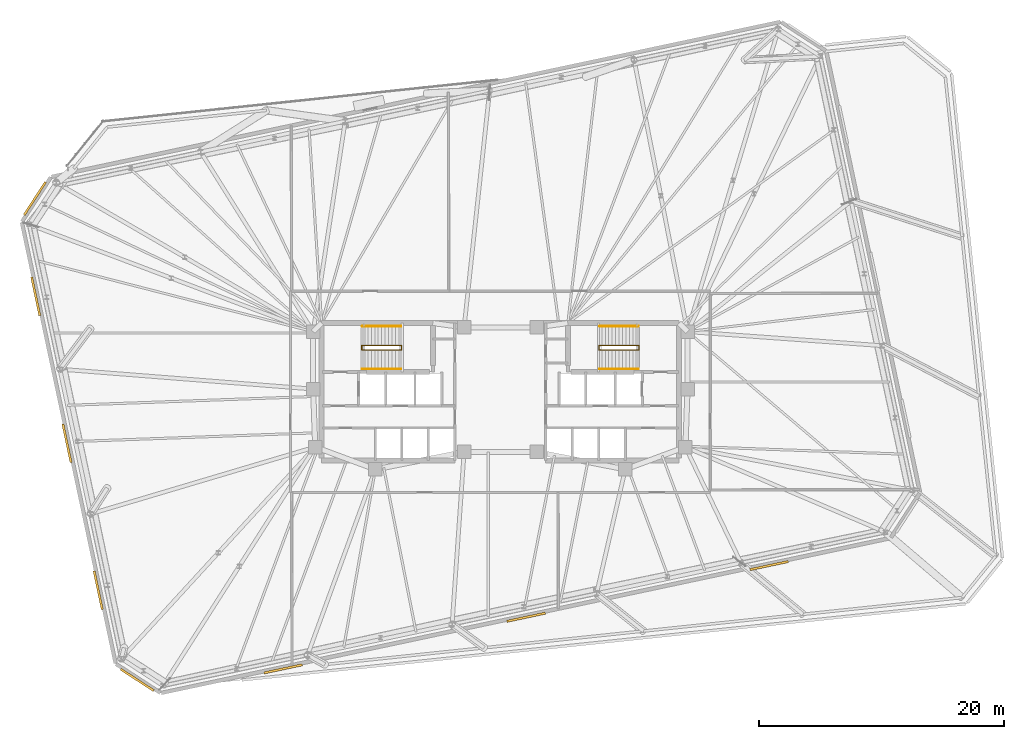
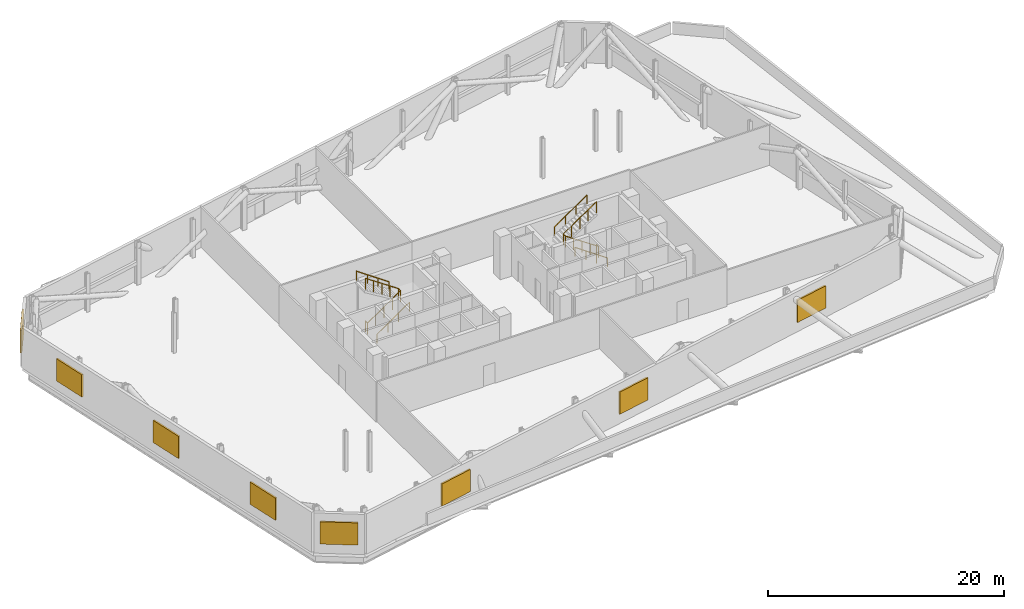
# One storey, part 17 of 19: 8 shading devices, 6 railings.
"""IFC4 building model written with IfcOpenShell, lengths in metres."""

from ifc_helpers import new_model, si_unit, direction, frame, origin, origin_2d, place, context, subcontext, project, spatial, rectangle, circle, extrude, material, type_object, element, save


model = new_model("IFC4")

# Units and contexts
model_context = context("Model", 3, precision=1e-05, world=origin(), true_north=direction((0.0, 1.0)))
body_context = subcontext(model_context, "Body", "Model", "MODEL_VIEW")
ifc_project = project(units=[si_unit("LENGTHUNIT", "METRE"), si_unit("AREAUNIT", "SQUARE_METRE"), si_unit("VOLUMEUNIT", "CUBIC_METRE"), si_unit("PLANEANGLEUNIT", "RADIAN"), si_unit("MASSUNIT", "GRAM", prefix="KILO")], contexts=[model_context])

# Site, building, storey
site_placement = place(None, origin())
site = spatial("IfcSite", under=ifc_project, at=site_placement, CompositionType="ELEMENT")
building_placement = place(site_placement, origin())
building = spatial("IfcBuilding", under=site, at=building_placement, Name="Menara Jurai Vektor", CompositionType="ELEMENT")
storey_placement = place(building_placement, frame((0.0, 0.0, 142.89990234375)))
storey = spatial("IfcBuildingStorey", under=building, at=storey_placement, Name="L36", CompositionType="ELEMENT", Elevation=142.89990234375)

# Shading devices
ifc_material_1 = material(Name="Anodised Pale Aluminium Acoustic Louvre", Category="aluminium")
shading_device_type = type_object("IfcShadingDeviceType", Name="ENV-SHD-LOUVRE", PredefinedType="USERDEFINED", material=ifc_material_1)
for number, where, z_axis, x_axis, name in (
    (1, (-17.6953125, -22.574462890625, 1.00830078125), (0.0, 0.0, 1.0), (0.978147600734, 0.207911690818, 0.0), "Acoustic Plant Weather Louvre L36-E01-1"),
    (2, (2.09912109375, -18.3671875, 1.00830078125), (0.0, 0.0, 1.0), (0.978147600734, 0.207911690818, 0.0), "Acoustic Plant Weather Louvre L36-E01-2"),
    (3, (21.893798828125, -14.15966796875, 1.00830078125), (0.0, 0.0, 1.0), (0.978147600734, 0.207911690818, 0.0), "Acoustic Plant Weather Louvre L36-E01-3"),
    (4, (-37.9169921875, 15.74755859375, 1.00830078125), (0.0, 0.0, 1.0), (-0.544639035015, -0.838670567945, 0.0), "Acoustic Plant Weather Louvre L36-E06-1"),
    (5, (-37.84912109375, 7.775146484375, 1.00830078125), (0.0, 0.0, 1.0), (0.207911690818, -0.978147600734, 0.0), "Acoustic Plant Weather Louvre L36-E07-1"),
    (6, (-35.304931640625, -4.194091796875, 1.00830078125), (0.0, 0.0, 1.0), (0.207911690818, -0.978147600734, 0.0), "Acoustic Plant Weather Louvre L36-E07-2"),
    (7, (-32.7607421875, -16.163330078125, 1.00830078125), (0.0, 0.0, 1.0), (0.207911690818, -0.978147600734, 0.0), "Acoustic Plant Weather Louvre L36-E07-3"),
    (8, (-29.580078125, -23.474365234375, 1.00830078125), (0.0, 0.0, 1.0), (0.838670567945, -0.544639035015, 0.0), "Acoustic Plant Weather Louvre L36-E08-1"),
):
    element("IfcShadingDevice", number, at=place(storey_placement, frame(where, z_axis=z_axis, x_axis=x_axis)), inside=storey, type_object=shading_device_type, Name=name, ObjectType="LOUVRE", PredefinedType="USERDEFINED", context=body_context, shape_type="SweptSolid", body=[
        extrude(rectangle(XDim=3.199951171875, YDim=0.179931640625, at=origin_2d()), origin(), (0.0, 0.0, 1.0), 2.300048828125),
    ])

# Railings
ifc_material_2 = material(Name="Painted Galvanised Steel Balustrade", Category="steel")
railing_type_1 = type_object("IfcRailingType", Name="RAIL-STAIR-GUARD", PredefinedType="GUARDRAIL", material=ifc_material_2)
railing_1_placement = place(storey_placement, frame((-11.2900390625, 3.780029296875, 0.0)))
element("IfcRailing", 9, at=railing_1_placement, inside=storey, type_object=railing_type_1, Name="ST1 Stair Guardrail 1 L36", PredefinedType="GUARDRAIL", context=body_context, shape_type="SweptSolid", body=[
    extrude(circle(Radius=0.02392578125, at=origin_2d()), frame((0.0, 0.0, 1.1259765625), z_axis=(0.0, -1.0, 0.0), x_axis=(1.0, 0.0, 0.0)), (0.0, 0.0, 1.0), 0.360107421875),
    extrude(circle(Radius=0.02392578125, at=origin_2d()), frame((0.0, -0.360107421875, 1.1259765625), z_axis=(0.827282288178, 0.0, 0.561786450234), x_axis=(0.0, 1.0, 0.0)), (0.0, 0.0, 1.0), 3.91650390625),
    extrude(circle(Radius=0.02392578125, at=origin_2d()), frame((3.239990234375, -0.360107421875, 3.326171875), z_axis=(0.0, 1.0, 0.0), x_axis=(-1.0, 0.0, 0.0)), (0.0, 0.0, 1.0), 0.360107421875),
    extrude(circle(Radius=0.02392578125, at=origin_2d()), frame((3.239990234375, 0.0, 3.326171875), z_axis=(-0.827311259865, 0.0, 0.56174378439), x_axis=(0.0, -1.0, 0.0)), (0.0, 0.0, 1.0), 3.916259765625),
    extrude(circle(Radius=0.02099609375, at=origin_2d()), origin(), (0.0, 0.0, 1.0), 1.101806640625),
    extrude(circle(Radius=0.02099609375, at=origin_2d()), frame((0.0, -0.360107421875, 0.0)), (0.0, 0.0, 1.0), 1.101806640625),
    extrude(circle(Radius=0.02099609375, at=origin_2d()), frame((0.81005859375, -0.360107421875, 0.550048828125)), (0.0, 0.0, 1.0), 1.101806640625),
    extrude(circle(Radius=0.02099609375, at=origin_2d()), frame((1.6201171875, -0.360107421875, 1.10009765625)), (0.0, 0.0, 1.0), 1.101806640625),
    extrude(circle(Radius=0.02099609375, at=origin_2d()), frame((2.429931640625, -0.360107421875, 1.650146484375)), (0.0, 0.0, 1.0), 1.101806640625),
    extrude(circle(Radius=0.02099609375, at=origin_2d()), frame((3.239990234375, -0.360107421875, 2.2001953125)), (0.0, 0.0, 1.0), 1.101806640625),
    extrude(circle(Radius=0.02099609375, at=origin_2d()), frame((3.239990234375, 0.0, 2.2001953125)), (0.0, 0.0, 1.0), 1.101806640625),
    extrude(circle(Radius=0.02099609375, at=origin_2d()), frame((2.429931640625, 0.0, 2.750244140625)), (0.0, 0.0, 1.0), 1.101806640625),
    extrude(circle(Radius=0.02099609375, at=origin_2d()), frame((1.6201171875, 0.0, 3.30029296875)), (0.0, 0.0, 1.0), 1.101806640625),
    extrude(circle(Radius=0.02099609375, at=origin_2d()), frame((0.81005859375, 0.0, 3.85009765625)), (0.0, 0.0, 1.0), 1.101806640625),
    extrude(circle(Radius=0.02099609375, at=origin_2d()), frame((0.0, 0.0, 4.400146484375)), (0.0, 0.0, 1.0), 1.101806640625),
])
railing_2_placement = place(storey_placement, frame((11.2900390625, 3.780029296875, 0.0)))
element("IfcRailing", 10, at=railing_2_placement, inside=storey, type_object=railing_type_1, Name="ST2 Stair Guardrail 1 L36", PredefinedType="GUARDRAIL", context=body_context, shape_type="SweptSolid", body=[
    extrude(circle(Radius=0.02392578125, at=origin_2d()), frame((0.0, 0.0, 1.1259765625), z_axis=(0.0, -1.0, 0.0), x_axis=(1.0, 0.0, 0.0)), (0.0, 0.0, 1.0), 0.360107421875),
    extrude(circle(Radius=0.02392578125, at=origin_2d()), frame((0.0, -0.360107421875, 1.1259765625), z_axis=(-0.827282288178, 0.0, 0.561786450234), x_axis=(0.0, -1.0, 0.0)), (0.0, 0.0, 1.0), 3.91650390625),
    extrude(circle(Radius=0.02392578125, at=origin_2d()), frame((-3.239990234375, -0.360107421875, 3.326171875), z_axis=(0.0, 1.0, 0.0), x_axis=(-1.0, 0.0, 0.0)), (0.0, 0.0, 1.0), 0.360107421875),
    extrude(circle(Radius=0.02392578125, at=origin_2d()), frame((-3.239990234375, 0.0, 3.326171875), z_axis=(0.827311259865, 0.0, 0.56174378439), x_axis=(0.0, 1.0, 0.0)), (0.0, 0.0, 1.0), 3.916259765625),
    extrude(circle(Radius=0.02099609375, at=origin_2d()), origin(), (0.0, 0.0, 1.0), 1.101806640625),
    extrude(circle(Radius=0.02099609375, at=origin_2d()), frame((0.0, -0.360107421875, 0.0)), (0.0, 0.0, 1.0), 1.101806640625),
    extrude(circle(Radius=0.02099609375, at=origin_2d()), frame((-0.81005859375, -0.360107421875, 0.550048828125)), (0.0, 0.0, 1.0), 1.101806640625),
    extrude(circle(Radius=0.02099609375, at=origin_2d()), frame((-1.6201171875, -0.360107421875, 1.10009765625)), (0.0, 0.0, 1.0), 1.101806640625),
    extrude(circle(Radius=0.02099609375, at=origin_2d()), frame((-2.429931640625, -0.360107421875, 1.650146484375)), (0.0, 0.0, 1.0), 1.101806640625),
    extrude(circle(Radius=0.02099609375, at=origin_2d()), frame((-3.239990234375, -0.360107421875, 2.2001953125)), (0.0, 0.0, 1.0), 1.101806640625),
    extrude(circle(Radius=0.02099609375, at=origin_2d()), frame((-3.239990234375, 0.0, 2.2001953125)), (0.0, 0.0, 1.0), 1.101806640625),
    extrude(circle(Radius=0.02099609375, at=origin_2d()), frame((-2.429931640625, 0.0, 2.750244140625)), (0.0, 0.0, 1.0), 1.101806640625),
    extrude(circle(Radius=0.02099609375, at=origin_2d()), frame((-1.6201171875, 0.0, 3.30029296875)), (0.0, 0.0, 1.0), 1.101806640625),
    extrude(circle(Radius=0.02099609375, at=origin_2d()), frame((-0.81005859375, 0.0, 3.85009765625)), (0.0, 0.0, 1.0), 1.101806640625),
    extrude(circle(Radius=0.02099609375, at=origin_2d()), frame((0.0, 0.0, 4.400146484375)), (0.0, 0.0, 1.0), 1.101806640625),
])
ifc_material_3 = material(Name="Brushed Stainless Steel Handrail", Category="steel")
railing_type_2 = type_object("IfcRailingType", Name="RAIL-STAIR-HAND", PredefinedType="HANDRAIL", material=ifc_material_3)
railing_3_placement = place(storey_placement, frame((-11.25, 1.860107421875, 0.0)))
element("IfcRailing", 11, at=railing_3_placement, inside=storey, type_object=railing_type_2, Name="ST1 Stair Handrail 1 L36", PredefinedType="HANDRAIL", context=body_context, shape_type="SweptSolid", body=[
    extrude(circle(Radius=0.02392578125, at=origin_2d()), frame((0.0, 0.0, 0.89599609375), z_axis=(0.820662165891, 0.0, 0.571413693812), x_axis=(0.0, 1.0, 0.0)), (0.0, 0.0, 1.0), 3.850341796875),
    extrude(circle(Radius=0.02099609375, at=origin_2d()), origin(), (0.0, 0.0, 1.0), 0.871826171875),
    extrude(circle(Radius=0.02099609375, at=origin_2d()), frame((1.05322265625, 0.0, 0.7333984375)), (0.0, 0.0, 1.0), 0.871826171875),
    extrude(circle(Radius=0.02099609375, at=origin_2d()), frame((2.106689453125, 0.0, 1.466796875)), (0.0, 0.0, 1.0), 0.871826171875),
    extrude(circle(Radius=0.02099609375, at=origin_2d()), frame((3.159912109375, 0.0, 2.2001953125)), (0.0, 0.0, 1.0), 0.871826171875),
])
railing_4_placement = place(storey_placement, frame((-8.090087890625, 5.340087890625, 2.2001953125)))
element("IfcRailing", 12, at=railing_4_placement, inside=storey, type_object=railing_type_2, Name="ST1 Stair Handrail 2 L36", PredefinedType="HANDRAIL", context=body_context, shape_type="SweptSolid", body=[
    extrude(circle(Radius=0.02392578125, at=origin_2d()), frame((0.0, 0.0, 0.89599609375), z_axis=(-0.820691899253, 0.0, 0.571370988501), x_axis=(0.0, -1.0, 0.0)), (0.0, 0.0, 1.0), 3.850341796875),
    extrude(circle(Radius=0.02099609375, at=origin_2d()), origin(), (0.0, 0.0, 1.0), 0.871826171875),
    extrude(circle(Radius=0.02099609375, at=origin_2d()), frame((-1.05322265625, 0.0, 0.7333984375)), (0.0, 0.0, 1.0), 0.871826171875),
    extrude(circle(Radius=0.02099609375, at=origin_2d()), frame((-2.106689453125, 0.0, 1.466552734375)), (0.0, 0.0, 1.0), 0.871826171875),
    extrude(circle(Radius=0.02099609375, at=origin_2d()), frame((-3.159912109375, 0.0, 2.199951171875)), (0.0, 0.0, 1.0), 0.871826171875),
])
railing_5_placement = place(storey_placement, frame((11.25, 1.860107421875, 0.0)))
element("IfcRailing", 13, at=railing_5_placement, inside=storey, type_object=railing_type_2, Name="ST2 Stair Handrail 1 L36", PredefinedType="HANDRAIL", context=body_context, shape_type="SweptSolid", body=[
    extrude(circle(Radius=0.02392578125, at=origin_2d()), frame((0.0, 0.0, 0.89599609375), z_axis=(-0.820662165891, 0.0, 0.571413693812), x_axis=(0.0, -1.0, 0.0)), (0.0, 0.0, 1.0), 3.850341796875),
    extrude(circle(Radius=0.02099609375, at=origin_2d()), origin(), (0.0, 0.0, 1.0), 0.871826171875),
    extrude(circle(Radius=0.02099609375, at=origin_2d()), frame((-1.05322265625, 0.0, 0.7333984375)), (0.0, 0.0, 1.0), 0.871826171875),
    extrude(circle(Radius=0.02099609375, at=origin_2d()), frame((-2.106689453125, 0.0, 1.466796875)), (0.0, 0.0, 1.0), 0.871826171875),
    extrude(circle(Radius=0.02099609375, at=origin_2d()), frame((-3.159912109375, 0.0, 2.2001953125)), (0.0, 0.0, 1.0), 0.871826171875),
])
railing_6_placement = place(storey_placement, frame((8.090087890625, 5.340087890625, 2.2001953125)))
element("IfcRailing", 14, at=railing_6_placement, inside=storey, type_object=railing_type_2, Name="ST2 Stair Handrail 2 L36", PredefinedType="HANDRAIL", context=body_context, shape_type="SweptSolid", body=[
    extrude(circle(Radius=0.02392578125, at=origin_2d()), frame((0.0, 0.0, 0.89599609375), z_axis=(0.820691899253, 0.0, 0.571370988501), x_axis=(0.0, 1.0, 0.0)), (0.0, 0.0, 1.0), 3.850341796875),
    extrude(circle(Radius=0.02099609375, at=origin_2d()), origin(), (0.0, 0.0, 1.0), 0.871826171875),
    extrude(circle(Radius=0.02099609375, at=origin_2d()), frame((1.05322265625, 0.0, 0.7333984375)), (0.0, 0.0, 1.0), 0.871826171875),
    extrude(circle(Radius=0.02099609375, at=origin_2d()), frame((2.106689453125, 0.0, 1.466552734375)), (0.0, 0.0, 1.0), 0.871826171875),
    extrude(circle(Radius=0.02099609375, at=origin_2d()), frame((3.159912109375, 0.0, 2.199951171875)), (0.0, 0.0, 1.0), 0.871826171875),
])

save(model, "model.ifc")
